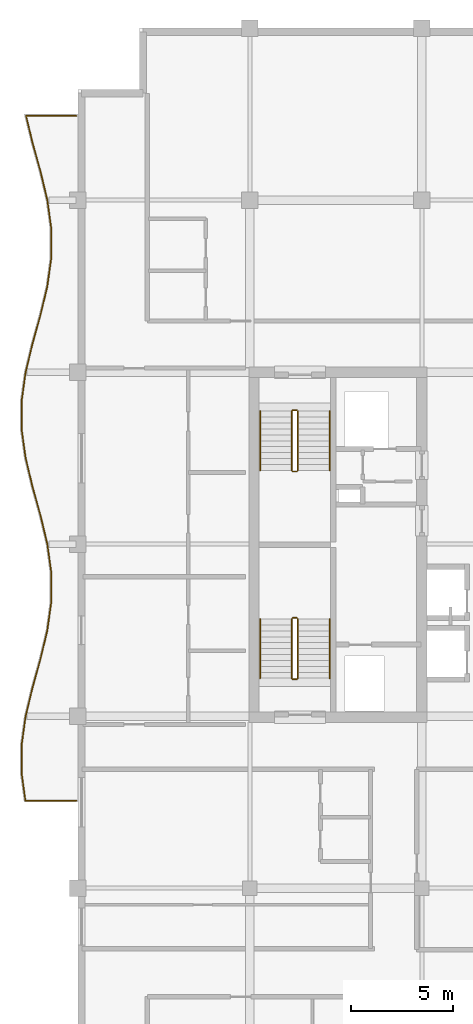
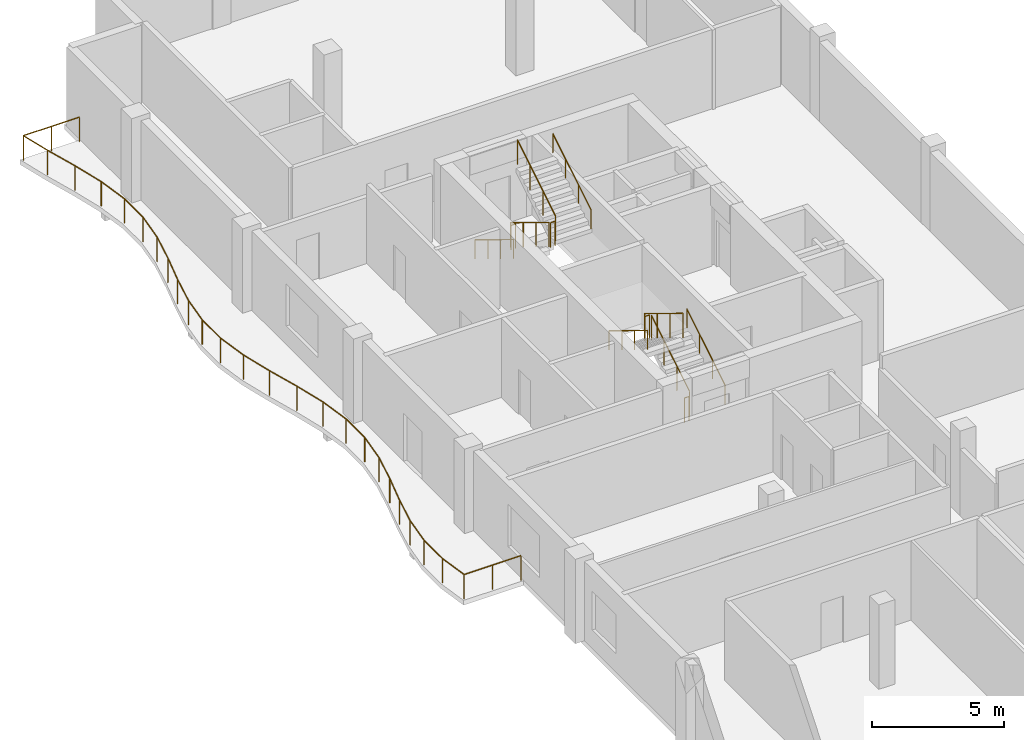
# One storey, part 11 of 11: 13 railings.
"""IFC4 building model written with IfcOpenShell, lengths in metres."""

from ifc_helpers import new_model, si_unit, direction, frame, origin, origin_2d, place, context, subcontext, project, spatial, circle, extrude, material, type_object, element, save


model = new_model("IFC4")

# Units and contexts
model_context = context("Model", 3, precision=1e-05, world=origin(), true_north=direction((0.0, 1.0)))
body_context = subcontext(model_context, "Body", "Model", "MODEL_VIEW")
ifc_project = project(units=[si_unit("LENGTHUNIT", "METRE"), si_unit("AREAUNIT", "SQUARE_METRE"), si_unit("VOLUMEUNIT", "CUBIC_METRE"), si_unit("PLANEANGLEUNIT", "RADIAN"), si_unit("MASSUNIT", "GRAM", prefix="KILO")], contexts=[model_context])

# Site, building, storey
site_placement = place(None, origin())
site = spatial("IfcSite", under=ifc_project, at=site_placement, CompositionType="ELEMENT")
building_placement = place(site_placement, origin())
building = spatial("IfcBuilding", under=site, at=building_placement, Name="Koriwani Terraces Tower", CompositionType="ELEMENT")
storey_placement = place(building_placement, frame((0.0, 0.0, 343.699951171875)))
storey = spatial("IfcBuildingStorey", under=building, at=storey_placement, Name="L85", CompositionType="ELEMENT", Elevation=343.699951171875)

# Railings
ifc_material = material(Name="Steel ASTM A572 Grade 50", Category="steel")
railing_type_1 = type_object("IfcRailingType", Name="GUARD_BALUSTRADE_1150", PredefinedType="BALUSTRADE", material=ifc_material)
railing_1_placement = place(storey_placement, frame((8.320068359375, 37.8798828125, 0.0)))
element("IfcRailing", 1, at=railing_1_placement, inside=storey, type_object=railing_type_1, Name="L85 Balcony Perimeter Safety Balustrade (W)", PredefinedType="BALUSTRADE", context=body_context, shape_type="SweptSolid", body=[
    extrude(circle(Radius=0.02392578125, at=origin_2d()), frame((0.0, 0.0, 1.1259765625), z_axis=(-1.0, 0.0, 0.0), x_axis=(0.0, -1.0, 0.0)), (0.0, 0.0, 1.0), 2.480712890625),
    extrude(circle(Radius=0.02392578125, at=origin_2d()), frame((-2.480712890625, 0.0, 1.1259765625), z_axis=(-0.137359576657, 0.990521249999, 0.0), x_axis=(-0.990521249999, -0.137359576657, 0.0)), (0.0, 0.0, 1.0), 1.33837890625),
    extrude(circle(Radius=0.02392578125, at=origin_2d()), frame((-2.66455078125, 1.32568359375, 1.1259765625), z_axis=(0.0, 1.0, 0.0), x_axis=(-1.0, 0.0, 0.0)), (0.0, 0.0, 1.0), 1.388916015625),
    extrude(circle(Radius=0.02392578125, at=origin_2d()), frame((-2.66455078125, 2.714599609375, 1.1259765625), z_axis=(0.137378806302, 0.990518583157, 0.0), x_axis=(-0.990518583157, 0.137378806302, 0.0)), (0.0, 0.0, 1.0), 1.404052734375),
    extrude(circle(Radius=0.02392578125, at=origin_2d()), frame((-2.4716796875, 4.105224609375, 1.1259765625), z_axis=(0.233514568862, 0.972353303141, 0.0), x_axis=(-0.972353303141, 0.233514568862, 0.0)), (0.0, 0.0, 1.0), 1.434326171875),
    extrude(circle(Radius=0.02392578125, at=origin_2d()), frame((-2.13671875, 5.5, 1.1259765625), z_axis=(0.26716718525, 0.963650193341, 0.0), x_axis=(-0.963650193341, 0.26716718525, 0.0)), (0.0, 0.0, 1.0), 1.452880859375),
    extrude(circle(Radius=0.02392578125, at=origin_2d()), frame((-1.74853515625, 6.900146484375, 1.1259765625), z_axis=(0.233302667738, 0.972404167631, 0.0), x_axis=(-0.972404167631, 0.233302667738, 0.0)), (0.0, 0.0, 1.0), 1.445068359375),
    extrude(circle(Radius=0.02392578125, at=origin_2d()), frame((-1.411376953125, 8.305419921875, 1.1259765625), z_axis=(0.137287762455, 0.990531206111, 0.0), x_axis=(-0.990531206111, 0.137287762455, 0.0)), (0.0, 0.0, 1.0), 1.422607421875),
    extrude(circle(Radius=0.02392578125, at=origin_2d()), frame((-1.216064453125, 9.714599609375, 1.1259765625), z_axis=(0.0, 1.0, 0.0), x_axis=(-1.0, 0.0, 0.0)), (0.0, 0.0, 1.0), 1.4111328125),
    extrude(circle(Radius=0.02392578125, at=origin_2d()), frame((-1.216064453125, 11.125732421875, 1.1259765625), z_axis=(-0.137287762455, 0.990531206111, 0.0), x_axis=(-0.990531206111, -0.137287762455, 0.0)), (0.0, 0.0, 1.0), 1.422607421875),
    extrude(circle(Radius=0.02392578125, at=origin_2d()), frame((-1.411376953125, 12.534912109375, 1.1259765625), z_axis=(-0.233302667738, 0.972404167631, 0.0), x_axis=(-0.972404167631, -0.233302667738, 0.0)), (0.0, 0.0, 1.0), 1.445068359375),
    extrude(circle(Radius=0.02392578125, at=origin_2d()), frame((-1.74853515625, 13.940185546875, 1.1259765625), z_axis=(-0.267210452187, 0.963638196753, 0.0), x_axis=(-0.963638196753, -0.267210452187, 0.0)), (0.0, 0.0, 1.0), 1.45263671875),
    extrude(circle(Radius=0.02392578125, at=origin_2d()), frame((-2.13671875, 15.340087890625, 1.1259765625), z_axis=(-0.23347592966, 0.972362581689, 0.0), x_axis=(-0.972362581689, -0.23347592966, 0.0)), (0.0, 0.0, 1.0), 1.4345703125),
    extrude(circle(Radius=0.02392578125, at=origin_2d()), frame((-2.4716796875, 16.735107421875, 1.1259765625), z_axis=(-0.137378806302, 0.990518583157, 0.0), x_axis=(-0.990518583157, -0.137378806302, 0.0)), (0.0, 0.0, 1.0), 1.404052734375),
    extrude(circle(Radius=0.02392578125, at=origin_2d()), frame((-2.66455078125, 18.125732421875, 1.1259765625), z_axis=(0.0, 1.0, 0.0), x_axis=(-1.0, 0.0, 0.0)), (0.0, 0.0, 1.0), 1.388916015625),
    extrude(circle(Radius=0.02392578125, at=origin_2d()), frame((-2.66455078125, 19.5146484375, 1.1259765625), z_axis=(0.137378806302, 0.990518583157, 0.0), x_axis=(-0.990518583157, 0.137378806302, 0.0)), (0.0, 0.0, 1.0), 1.404052734375),
    extrude(circle(Radius=0.02392578125, at=origin_2d()), frame((-2.4716796875, 20.9052734375, 1.1259765625), z_axis=(0.233514568862, 0.972353303141, 0.0), x_axis=(-0.972353303141, 0.233514568862, 0.0)), (0.0, 0.0, 1.0), 1.434326171875),
    extrude(circle(Radius=0.02392578125, at=origin_2d()), frame((-2.13671875, 22.300048828125, 1.1259765625), z_axis=(0.26716718525, 0.963650193341, 0.0), x_axis=(-0.963650193341, 0.26716718525, 0.0)), (0.0, 0.0, 1.0), 1.452880859375),
    extrude(circle(Radius=0.02392578125, at=origin_2d()), frame((-1.74853515625, 23.7001953125, 1.1259765625), z_axis=(0.233340999769, 0.972394970075, 0.0), x_axis=(-0.972394970075, 0.233340999769, 0.0)), (0.0, 0.0, 1.0), 1.44482421875),
    extrude(circle(Radius=0.02392578125, at=origin_2d()), frame((-1.411376953125, 25.105224609375, 1.1259765625), z_axis=(0.137264429555, 0.990534439774, 0.0), x_axis=(-0.990534439774, 0.137264429555, 0.0)), (0.0, 0.0, 1.0), 1.4228515625),
    extrude(circle(Radius=0.02392578125, at=origin_2d()), frame((-1.216064453125, 26.5146484375, 1.1259765625), z_axis=(0.0, 1.0, 0.0), x_axis=(-1.0, 0.0, 0.0)), (0.0, 0.0, 1.0), 1.410888671875),
    extrude(circle(Radius=0.02392578125, at=origin_2d()), frame((-1.216064453125, 27.925537109375, 1.1259765625), z_axis=(-0.137264429555, 0.990534439774, 0.0), x_axis=(-0.990534439774, -0.137264429555, 0.0)), (0.0, 0.0, 1.0), 1.4228515625),
    extrude(circle(Radius=0.02392578125, at=origin_2d()), frame((-1.411376953125, 29.3349609375, 1.1259765625), z_axis=(-0.233302667738, 0.972404167631, 0.0), x_axis=(-0.972404167631, -0.233302667738, 0.0)), (0.0, 0.0, 1.0), 1.445068359375),
    extrude(circle(Radius=0.02392578125, at=origin_2d()), frame((-1.74853515625, 30.740234375, 1.1259765625), z_axis=(-0.267210452187, 0.963638196753, 0.0), x_axis=(-0.963638196753, -0.267210452187, 0.0)), (0.0, 0.0, 1.0), 1.45263671875),
    extrude(circle(Radius=0.02392578125, at=origin_2d()), frame((-2.13671875, 32.14013671875, 1.1259765625), z_axis=(-0.233545604015, 0.9723458494, 0.0), x_axis=(-0.9723458494, -0.233545604015, 0.0)), (0.0, 0.0, 1.0), 1.3369140625),
    extrude(circle(Radius=0.02392578125, at=origin_2d()), frame((-2.448974609375, 33.440185546875, 1.1259765625), z_axis=(1.0, 0.0, 0.0), x_axis=(0.0, 1.0, 0.0)), (0.0, 0.0, 1.0), 2.448974609375),
    extrude(circle(Radius=0.02099609375, at=origin_2d()), origin(), (0.0, 0.0, 1.0), 1.101806640625),
    extrude(circle(Radius=0.02099609375, at=origin_2d()), frame((-1.240234375, 0.0, 0.0)), (0.0, 0.0, 1.0), 1.101806640625),
    extrude(circle(Radius=0.02099609375, at=origin_2d()), frame((-2.480712890625, 0.0, 0.0)), (0.0, 0.0, 1.0), 1.101806640625),
    extrude(circle(Radius=0.02099609375, at=origin_2d()), frame((-2.66455078125, 1.32568359375, 0.0)), (0.0, 0.0, 1.0), 1.101806640625),
    extrude(circle(Radius=0.02099609375, at=origin_2d()), frame((-2.66455078125, 2.714599609375, 0.0)), (0.0, 0.0, 1.0), 1.101806640625),
    extrude(circle(Radius=0.02099609375, at=origin_2d()), frame((-2.4716796875, 4.105224609375, 0.0)), (0.0, 0.0, 1.0), 1.101806640625),
    extrude(circle(Radius=0.02099609375, at=origin_2d()), frame((-2.13671875, 5.5, 0.0)), (0.0, 0.0, 1.0), 1.101806640625),
    extrude(circle(Radius=0.02099609375, at=origin_2d()), frame((-1.74853515625, 6.900146484375, 0.0)), (0.0, 0.0, 1.0), 1.101806640625),
    extrude(circle(Radius=0.02099609375, at=origin_2d()), frame((-1.411376953125, 8.305419921875, 0.0)), (0.0, 0.0, 1.0), 1.101806640625),
    extrude(circle(Radius=0.02099609375, at=origin_2d()), frame((-1.216064453125, 9.714599609375, 0.0)), (0.0, 0.0, 1.0), 1.101806640625),
    extrude(circle(Radius=0.02099609375, at=origin_2d()), frame((-1.216064453125, 11.125732421875, 0.0)), (0.0, 0.0, 1.0), 1.101806640625),
    extrude(circle(Radius=0.02099609375, at=origin_2d()), frame((-1.411376953125, 12.534912109375, 0.0)), (0.0, 0.0, 1.0), 1.101806640625),
    extrude(circle(Radius=0.02099609375, at=origin_2d()), frame((-1.74853515625, 13.940185546875, 0.0)), (0.0, 0.0, 1.0), 1.101806640625),
    extrude(circle(Radius=0.02099609375, at=origin_2d()), frame((-2.13671875, 15.340087890625, 0.0)), (0.0, 0.0, 1.0), 1.101806640625),
    extrude(circle(Radius=0.02099609375, at=origin_2d()), frame((-2.4716796875, 16.735107421875, 0.0)), (0.0, 0.0, 1.0), 1.101806640625),
    extrude(circle(Radius=0.02099609375, at=origin_2d()), frame((-2.66455078125, 18.125732421875, 0.0)), (0.0, 0.0, 1.0), 1.101806640625),
    extrude(circle(Radius=0.02099609375, at=origin_2d()), frame((-2.66455078125, 19.5146484375, 0.0)), (0.0, 0.0, 1.0), 1.101806640625),
    extrude(circle(Radius=0.02099609375, at=origin_2d()), frame((-2.4716796875, 20.9052734375, 0.0)), (0.0, 0.0, 1.0), 1.101806640625),
    extrude(circle(Radius=0.02099609375, at=origin_2d()), frame((-2.13671875, 22.300048828125, 0.0)), (0.0, 0.0, 1.0), 1.101806640625),
    extrude(circle(Radius=0.02099609375, at=origin_2d()), frame((-1.74853515625, 23.7001953125, 0.0)), (0.0, 0.0, 1.0), 1.101806640625),
    extrude(circle(Radius=0.02099609375, at=origin_2d()), frame((-1.411376953125, 25.105224609375, 0.0)), (0.0, 0.0, 1.0), 1.101806640625),
    extrude(circle(Radius=0.02099609375, at=origin_2d()), frame((-1.216064453125, 26.5146484375, 0.0)), (0.0, 0.0, 1.0), 1.101806640625),
    extrude(circle(Radius=0.02099609375, at=origin_2d()), frame((-1.216064453125, 27.925537109375, 0.0)), (0.0, 0.0, 1.0), 1.101806640625),
    extrude(circle(Radius=0.02099609375, at=origin_2d()), frame((-1.411376953125, 29.3349609375, 0.0)), (0.0, 0.0, 1.0), 1.101806640625),
    extrude(circle(Radius=0.02099609375, at=origin_2d()), frame((-1.74853515625, 30.740234375, 0.0)), (0.0, 0.0, 1.0), 1.101806640625),
    extrude(circle(Radius=0.02099609375, at=origin_2d()), frame((-2.13671875, 32.14013671875, 0.0)), (0.0, 0.0, 1.0), 1.101806640625),
    extrude(circle(Radius=0.02099609375, at=origin_2d()), frame((-2.448974609375, 33.440185546875, 0.0)), (0.0, 0.0, 1.0), 1.101806640625),
    extrude(circle(Radius=0.02099609375, at=origin_2d()), frame((-1.224609375, 33.440185546875, 0.0)), (0.0, 0.0, 1.0), 1.101806640625),
    extrude(circle(Radius=0.02099609375, at=origin_2d()), frame((0.0, 33.440185546875, 0.0)), (0.0, 0.0, 1.0), 1.101806640625),
])
railing_type_2 = type_object("IfcRailingType", Name="GUARD_STAIR_WELL_1120", PredefinedType="GUARDRAIL", material=ifc_material)
railing_2_placement = place(storey_placement, frame((19.14990234375, 43.85009765625, 0.17724609375)))
element("IfcRailing", 2, at=railing_2_placement, inside=storey, type_object=railing_type_2, Name="L85 ST-W1 stair guard 1", PredefinedType="GUARDRAIL", context=body_context, shape_type="SweptSolid", body=[
    extrude(circle(Radius=0.02392578125, at=origin_2d()), frame((0.0, 0.0, 1.1259765625), z_axis=(0.0, 0.853210801645, 0.521566225858), x_axis=(-1.0, 0.0, 0.0)), (0.0, 0.0, 1.0), 3.39892578125),
    extrude(circle(Radius=0.02099609375, at=origin_2d()), origin(), (0.0, 0.0, 1.0), 1.101806640625),
    extrude(circle(Radius=0.02099609375, at=origin_2d()), frame((0.0, 0.966552734375, 0.5908203125)), (0.0, 0.0, 1.0), 1.101806640625),
    extrude(circle(Radius=0.02099609375, at=origin_2d()), frame((0.0, 1.933349609375, 1.181884765625)), (0.0, 0.0, 1.0), 1.101806640625),
    extrude(circle(Radius=0.02099609375, at=origin_2d()), frame((0.0, 2.89990234375, 1.772705078125)), (0.0, 0.0, 1.0), 1.101806640625),
])
railing_3_placement = place(storey_placement, frame((19.10009765625, 46.800048828125, 1.949951171875)))
element("IfcRailing", 3, at=railing_3_placement, inside=storey, type_object=railing_type_2, Name="L85 ST-W1 stair guard 2", PredefinedType="GUARDRAIL", context=body_context, shape_type="SweptSolid", body=[
    extrude(circle(Radius=0.02392578125, at=origin_2d()), frame((0.0, 0.0, 1.1259765625), z_axis=(-1.0, 0.0, 0.0), x_axis=(0.0, -1.0, 0.0)), (0.0, 0.0, 1.0), 0.2001953125),
    extrude(circle(Radius=0.02099609375, at=origin_2d()), origin(), (0.0, 0.0, 1.0), 1.101806640625),
    extrude(circle(Radius=0.02099609375, at=origin_2d()), frame((-0.2001953125, 0.0, 0.0)), (0.0, 0.0, 1.0), 1.101806640625),
])
railing_4_placement = place(storey_placement, frame((18.85009765625, 46.75, 2.12744140625)))
element("IfcRailing", 4, at=railing_4_placement, inside=storey, type_object=railing_type_2, Name="L85 ST-W1 stair guard 3", PredefinedType="GUARDRAIL", context=body_context, shape_type="SweptSolid", body=[
    extrude(circle(Radius=0.02392578125, at=origin_2d()), frame((0.0, 0.0, 1.1259765625), z_axis=(0.0, -0.853210801645, 0.521566225858), x_axis=(1.0, 0.0, 0.0)), (0.0, 0.0, 1.0), 3.39892578125),
    extrude(circle(Radius=0.02099609375, at=origin_2d()), origin(), (0.0, 0.0, 1.0), 1.101806640625),
    extrude(circle(Radius=0.02099609375, at=origin_2d()), frame((0.0, -0.966552734375, 0.5908203125)), (0.0, 0.0, 1.0), 1.101806640625),
    extrude(circle(Radius=0.02099609375, at=origin_2d()), frame((0.0, -1.933349609375, 1.181884765625)), (0.0, 0.0, 1.0), 1.101806640625),
    extrude(circle(Radius=0.02099609375, at=origin_2d()), frame((0.0, -2.89990234375, 1.772705078125)), (0.0, 0.0, 1.0), 1.101806640625),
])
railing_5_placement = place(storey_placement, frame((19.10009765625, 43.800048828125, 0.0)))
element("IfcRailing", 5, at=railing_5_placement, inside=storey, type_object=railing_type_2, Name="L85 ST-W1 stair guard 4", PredefinedType="GUARDRAIL", context=body_context, shape_type="SweptSolid", body=[
    extrude(circle(Radius=0.02392578125, at=origin_2d()), frame((0.0, 0.0, 1.1259765625), z_axis=(-1.0, 0.0, 0.0), x_axis=(0.0, -1.0, 0.0)), (0.0, 0.0, 1.0), 0.2001953125),
    extrude(circle(Radius=0.02099609375, at=origin_2d()), origin(), (0.0, 0.0, 1.0), 1.101806640625),
    extrude(circle(Radius=0.02099609375, at=origin_2d()), frame((-0.2001953125, 0.0, 0.0)), (0.0, 0.0, 1.0), 1.101806640625),
])
railing_6_placement = place(storey_placement, frame((18.85009765625, 56.89990234375, 0.17724609375)))
element("IfcRailing", 6, at=railing_6_placement, inside=storey, type_object=railing_type_2, Name="L85 ST-W2 stair guard 1", PredefinedType="GUARDRAIL", context=body_context, shape_type="SweptSolid", body=[
    extrude(circle(Radius=0.02392578125, at=origin_2d()), frame((0.0, 0.0, 1.1259765625), z_axis=(0.0, -0.853210801645, 0.521566225858), x_axis=(1.0, 0.0, 0.0)), (0.0, 0.0, 1.0), 3.39892578125),
    extrude(circle(Radius=0.02099609375, at=origin_2d()), origin(), (0.0, 0.0, 1.0), 1.101806640625),
    extrude(circle(Radius=0.02099609375, at=origin_2d()), frame((0.0, -0.966552734375, 0.5908203125)), (0.0, 0.0, 1.0), 1.101806640625),
    extrude(circle(Radius=0.02099609375, at=origin_2d()), frame((0.0, -1.933349609375, 1.181884765625)), (0.0, 0.0, 1.0), 1.101806640625),
    extrude(circle(Radius=0.02099609375, at=origin_2d()), frame((0.0, -2.89990234375, 1.772705078125)), (0.0, 0.0, 1.0), 1.101806640625),
])
railing_7_placement = place(storey_placement, frame((18.89990234375, 53.949951171875, 1.949951171875)))
element("IfcRailing", 7, at=railing_7_placement, inside=storey, type_object=railing_type_2, Name="L85 ST-W2 stair guard 2", PredefinedType="GUARDRAIL", context=body_context, shape_type="SweptSolid", body=[
    extrude(circle(Radius=0.02392578125, at=origin_2d()), frame((0.0, 0.0, 1.1259765625), z_axis=(1.0, 0.0, 0.0), x_axis=(0.0, 1.0, 0.0)), (0.0, 0.0, 1.0), 0.2001953125),
    extrude(circle(Radius=0.02099609375, at=origin_2d()), origin(), (0.0, 0.0, 1.0), 1.101806640625),
    extrude(circle(Radius=0.02099609375, at=origin_2d()), frame((0.2001953125, 0.0, 0.0)), (0.0, 0.0, 1.0), 1.101806640625),
])
railing_8_placement = place(storey_placement, frame((19.14990234375, 54.0, 2.12744140625)))
element("IfcRailing", 8, at=railing_8_placement, inside=storey, type_object=railing_type_2, Name="L85 ST-W2 stair guard 3", PredefinedType="GUARDRAIL", context=body_context, shape_type="SweptSolid", body=[
    extrude(circle(Radius=0.02392578125, at=origin_2d()), frame((0.0, 0.0, 1.1259765625), z_axis=(0.0, 0.853210801645, 0.521566225858), x_axis=(-1.0, 0.0, 0.0)), (0.0, 0.0, 1.0), 3.39892578125),
    extrude(circle(Radius=0.02099609375, at=origin_2d()), origin(), (0.0, 0.0, 1.0), 1.101806640625),
    extrude(circle(Radius=0.02099609375, at=origin_2d()), frame((0.0, 0.966552734375, 0.5908203125)), (0.0, 0.0, 1.0), 1.101806640625),
    extrude(circle(Radius=0.02099609375, at=origin_2d()), frame((0.0, 1.933349609375, 1.181884765625)), (0.0, 0.0, 1.0), 1.101806640625),
    extrude(circle(Radius=0.02099609375, at=origin_2d()), frame((0.0, 2.89990234375, 1.772705078125)), (0.0, 0.0, 1.0), 1.101806640625),
])
railing_9_placement = place(storey_placement, frame((18.89990234375, 56.949951171875, 0.0)))
element("IfcRailing", 9, at=railing_9_placement, inside=storey, type_object=railing_type_2, Name="L85 ST-W2 stair guard 4", PredefinedType="GUARDRAIL", context=body_context, shape_type="SweptSolid", body=[
    extrude(circle(Radius=0.02392578125, at=origin_2d()), frame((0.0, 0.0, 1.1259765625), z_axis=(1.0, 0.0, 0.0), x_axis=(0.0, 1.0, 0.0)), (0.0, 0.0, 1.0), 0.2001953125),
    extrude(circle(Radius=0.02099609375, at=origin_2d()), origin(), (0.0, 0.0, 1.0), 1.101806640625),
    extrude(circle(Radius=0.02099609375, at=origin_2d()), frame((0.2001953125, 0.0, 0.0)), (0.0, 0.0, 1.0), 1.101806640625),
])
railing_type_3 = type_object("IfcRailingType", Name="HANDRAIL_STAIR_920", PredefinedType="HANDRAIL", material=ifc_material)
railing_10_placement = place(storey_placement, frame((20.699951171875, 43.85009765625, 0.17724609375)))
element("IfcRailing", 10, at=railing_10_placement, inside=storey, type_object=railing_type_3, Name="L85 ST-W1 stair handrail 1", PredefinedType="HANDRAIL", context=body_context, shape_type="SweptSolid", body=[
    extrude(circle(Radius=0.02392578125, at=origin_2d()), frame((0.0, 0.0, 0.8759765625), z_axis=(0.0, 0.853210801645, 0.521566225858), x_axis=(-1.0, 0.0, 0.0)), (0.0, 0.0, 1.0), 3.39892578125),
    extrude(circle(Radius=0.02099609375, at=origin_2d()), origin(), (0.0, 0.0, 1.0), 0.851806640625),
    extrude(circle(Radius=0.02099609375, at=origin_2d()), frame((0.0, 0.966552734375, 0.5908203125)), (0.0, 0.0, 1.0), 0.851806640625),
    extrude(circle(Radius=0.02099609375, at=origin_2d()), frame((0.0, 1.933349609375, 1.181884765625)), (0.0, 0.0, 1.0), 0.851806640625),
    extrude(circle(Radius=0.02099609375, at=origin_2d()), frame((0.0, 2.89990234375, 1.772705078125)), (0.0, 0.0, 1.0), 0.851806640625),
])
for number, where, name in (
    (11, (17.300048828125, 46.75, 2.12744140625), "L85 ST-W1 stair handrail 2"),
    (12, (17.300048828125, 56.89990234375, 0.17724609375), "L85 ST-W2 stair handrail 1"),
):
    element("IfcRailing", number, at=place(storey_placement, frame(where)), inside=storey, type_object=railing_type_3, Name=name, PredefinedType="HANDRAIL", context=body_context, shape_type="SweptSolid", body=[
        extrude(circle(Radius=0.02392578125, at=origin_2d()), frame((0.0, 0.0, 0.8759765625), z_axis=(0.0, -0.853210801645, 0.521566225858), x_axis=(1.0, 0.0, 0.0)), (0.0, 0.0, 1.0), 3.39892578125),
        extrude(circle(Radius=0.02099609375, at=origin_2d()), origin(), (0.0, 0.0, 1.0), 0.851806640625),
        extrude(circle(Radius=0.02099609375, at=origin_2d()), frame((0.0, -0.966552734375, 0.5908203125)), (0.0, 0.0, 1.0), 0.851806640625),
        extrude(circle(Radius=0.02099609375, at=origin_2d()), frame((0.0, -1.933349609375, 1.181884765625)), (0.0, 0.0, 1.0), 0.851806640625),
        extrude(circle(Radius=0.02099609375, at=origin_2d()), frame((0.0, -2.89990234375, 1.772705078125)), (0.0, 0.0, 1.0), 0.851806640625),
    ])
railing_11_placement = place(storey_placement, frame((20.699951171875, 54.0, 2.12744140625)))
element("IfcRailing", 13, at=railing_11_placement, inside=storey, type_object=railing_type_3, Name="L85 ST-W2 stair handrail 2", PredefinedType="HANDRAIL", context=body_context, shape_type="SweptSolid", body=[
    extrude(circle(Radius=0.02392578125, at=origin_2d()), frame((0.0, 0.0, 0.8759765625), z_axis=(0.0, 0.853210801645, 0.521566225858), x_axis=(-1.0, 0.0, 0.0)), (0.0, 0.0, 1.0), 3.39892578125),
    extrude(circle(Radius=0.02099609375, at=origin_2d()), origin(), (0.0, 0.0, 1.0), 0.851806640625),
    extrude(circle(Radius=0.02099609375, at=origin_2d()), frame((0.0, 0.966552734375, 0.5908203125)), (0.0, 0.0, 1.0), 0.851806640625),
    extrude(circle(Radius=0.02099609375, at=origin_2d()), frame((0.0, 1.933349609375, 1.181884765625)), (0.0, 0.0, 1.0), 0.851806640625),
    extrude(circle(Radius=0.02099609375, at=origin_2d()), frame((0.0, 2.89990234375, 1.772705078125)), (0.0, 0.0, 1.0), 0.851806640625),
])

save(model, "model.ifc")
